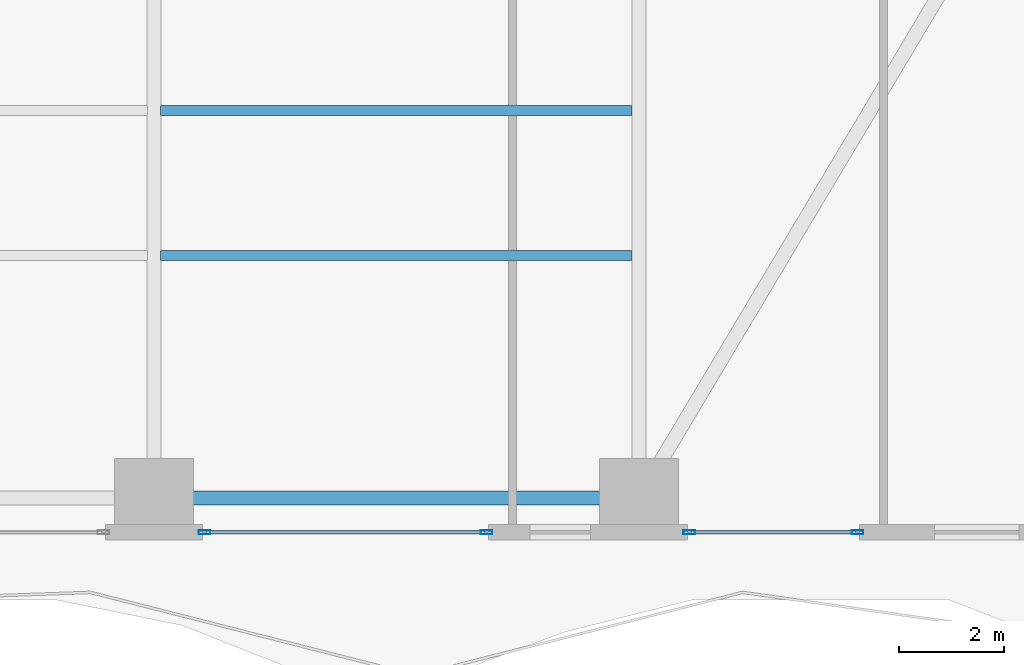
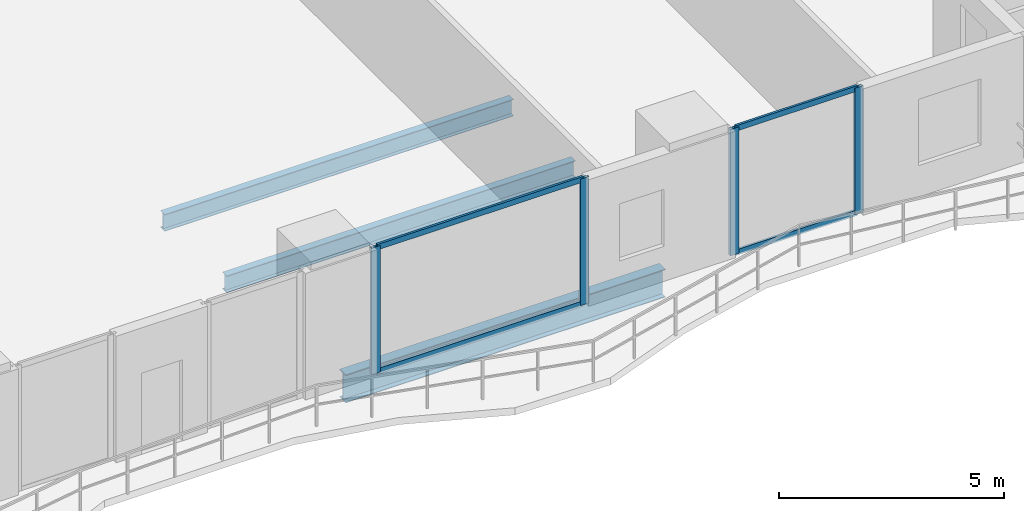
# One storey, part 8 of 28: 8 members, 3 beams, 2 elements without a shape of their own.
"""IFC4 building model written with IfcOpenShell, lengths in metres."""

from ifc_helpers import new_model, si_unit, direction, frame, origin, origin_2d, place, context, subcontext, project, spatial, hollow_rectangle, i_section, extrude, material, layer, layer_set, material_profile, profile_set, type_object, element, aggregate, save


model = new_model("IFC4")

# Units and contexts
model_context = context("Model", 3, precision=1e-05, world=origin(), true_north=direction((0.0, 1.0)))
body_context = subcontext(model_context, "Body", "Model", "MODEL_VIEW")
ifc_project = project(units=[si_unit("LENGTHUNIT", "METRE"), si_unit("AREAUNIT", "SQUARE_METRE"), si_unit("VOLUMEUNIT", "CUBIC_METRE"), si_unit("PLANEANGLEUNIT", "RADIAN"), si_unit("MASSUNIT", "GRAM", prefix="KILO")], contexts=[model_context])

# Site, building, storey
site_placement = place(None, origin())
site = spatial("IfcSite", under=ifc_project, at=site_placement, CompositionType="ELEMENT")
building_placement = place(site_placement, origin())
building = spatial("IfcBuilding", under=site, at=building_placement, Name="Zuhayl Quay Hotel", CompositionType="ELEMENT")
storey_placement = place(building_placement, frame((0.0, 0.0, 75.050048828125)))
storey = spatial("IfcBuildingStorey", under=building, at=storey_placement, Name="L18", CompositionType="ELEMENT", Elevation=75.050048828125)

# Beams
ifc_material_1 = material(Name="Steel ASTM A992 Grade 50", Category="steel")
ifc_material_profile_1 = material_profile(ifc_material_1, i_section(OverallWidth=0.26708984375, OverallDepth=0.761962890625, WebThickness=0.014404296875, FlangeThickness=0.021484375, at=origin_2d()), Name="W30X116")
ifc_profile_set_1 = profile_set([ifc_material_profile_1], Name="Steel ASTM A992 Grade 50")
beam_type_1 = type_object("IfcBeamType", Name="BM_B1_W30X116", PredefinedType="BEAM", material=ifc_profile_set_1)
beam_placement = place(storey_placement, frame((5.10009765625, -22.449951171875, -0.60107421875), z_axis=(1.0, 0.0, 0.0), x_axis=(0.0, 1.0, 0.0)))
element("IfcBeam", 1, at=beam_placement, inside=storey, type_object=beam_type_1, Name="L18 Floor Beam RG_L18_03", PredefinedType="BEAM", context=body_context, shape_type="SweptSolid", body=[
    extrude(i_section(OverallWidth=0.26708984375, OverallDepth=0.761962890625, WebThickness=0.014404296875, FlangeThickness=0.021484375, at=origin_2d()), origin(), (0.0, 0.0, 1.0), 8.199951171875),
])
ifc_material_profile_2 = material_profile(ifc_material_1, i_section(OverallWidth=0.18994140625, OverallDepth=0.45703125, WebThickness=0.009033203125, FlangeThickness=0.014404296875, at=origin_2d()), Name="W18X50")
ifc_profile_set_2 = profile_set([ifc_material_profile_2], Name="Steel ASTM A992 Grade 50")
beam_type_2 = type_object("IfcBeamType", Name="BM_J2_W18X50", PredefinedType="JOIST", material=ifc_profile_set_2)
for number, where, z_axis, x_axis, name in (
    (2, (4.7255859375, -17.85009765625, -0.448486328125), (1.0, 0.0, 0.0), (0.0, 1.0, 0.0), "L18 Floor Beam FJ_L18_3_3"),
    (3, (4.7255859375, -15.10009765625, -0.448486328125), (1.0, 0.0, 0.0), (0.0, 1.0, 0.0), "L18 Floor Beam FJ_L18_4_3"),
):
    element("IfcBeam", number, at=place(storey_placement, frame(where, z_axis=z_axis, x_axis=x_axis)), inside=storey, type_object=beam_type_2, Name=name, PredefinedType="JOIST", context=body_context, shape_type="SweptSolid", body=[
        extrude(i_section(OverallWidth=0.18994140625, OverallDepth=0.45703125, WebThickness=0.009033203125, FlangeThickness=0.014404296875, at=origin_2d()), origin(), (0.0, 0.0, 1.0), 8.948974609375),
    ])

# Curtain wall, members
ifc_material_2 = material(Name="Anodised Aluminium 6063-T6", Category="aluminium")
ifc_layer = layer(ifc_material_2, 0.18994140625, Name="Anodised Aluminium 6063-T6", Category="aluminium")
ifc_layer_set = layer_set([ifc_layer], Name="Anodised Aluminium 6063-T6")
curtain_wall_type = type_object("IfcCurtainWallType", Name="CW_SYS_Z1", PredefinedType="USERDEFINED", material=ifc_layer_set)
curtain_wall_1_placement = place(storey_placement, origin())
curtain_wall_1 = element("IfcCurtainWall", 4, at=curtain_wall_1_placement, inside=storey, type_object=curtain_wall_type, Name="L18 Curtain Wall ENV_L18_S_CW1", ObjectType="UNITISED CURTAIN WALL", PredefinedType="USERDEFINED")
ifc_material_3 = material(Name="Black-anodised aluminium 6063-T6", Category="aluminium")
ifc_material_profile_3 = material_profile(ifc_material_3, hollow_rectangle(XDim=0.074951171875, YDim=0.219970703125, WallThickness=0.00390625, at=origin_2d()), Name="ALU220X75")
ifc_profile_set_3 = profile_set([ifc_material_profile_3], Name="Black-anodised aluminium 6063-T6")
member_type_1 = type_object("IfcMemberType", Name="MB_CW_MUL_220", PredefinedType="MULLION", material=ifc_profile_set_3)
member_1_placement = place(storey_placement, frame((17.952392578125, -23.10009765625, 0.0), z_axis=(0.0, 0.0, 1.0), x_axis=(0.0, -1.0, 0.0)))
member_1 = element("IfcMember", 5, at=member_1_placement, type_object=member_type_1, Name="CW-Z1 mullion 1", PredefinedType="MULLION", context=body_context, shape_type="SweptSolid", body=[
    extrude(hollow_rectangle(XDim=0.074951171875, YDim=0.219970703125, WallThickness=0.00390625, at=origin_2d()), origin(), (0.0, 0.0, 1.0), 3.429931640625),
])
member_2_placement = place(storey_placement, frame((14.757568359375, -23.10009765625, 0.0), z_axis=(0.0, 0.0, 1.0), x_axis=(0.0, -1.0, 0.0)))
member_2 = element("IfcMember", 6, at=member_2_placement, type_object=member_type_1, Name="CW-Z1 mullion 2", PredefinedType="MULLION", context=body_context, shape_type="SweptSolid", body=[
    extrude(hollow_rectangle(XDim=0.074951171875, YDim=0.219970703125, WallThickness=0.00390625, at=origin_2d()), origin(), (0.0, 0.0, 1.0), 3.429931640625),
])

curtain_wall_2_placement = place(storey_placement, origin())
curtain_wall_2 = element("IfcCurtainWall", 7, at=curtain_wall_2_placement, inside=storey, type_object=curtain_wall_type, Name="L18 Curtain Wall ENV_L18_S_CW2", ObjectType="UNITISED CURTAIN WALL", PredefinedType="USERDEFINED")
member_3_placement = place(storey_placement, frame((10.91259765625, -23.10009765625, 0.0), z_axis=(0.0, 0.0, 1.0), x_axis=(0.0, -1.0, 0.0)))
member_3 = element("IfcMember", 8, at=member_3_placement, type_object=member_type_1, Name="CW-Z1 mullion 1", PredefinedType="MULLION", context=body_context, shape_type="SweptSolid", body=[
    extrude(hollow_rectangle(XDim=0.074951171875, YDim=0.219970703125, WallThickness=0.00390625, at=origin_2d()), origin(), (0.0, 0.0, 1.0), 3.429931640625),
])
member_4_placement = place(storey_placement, frame((5.5576171875, -23.10009765625, 0.0), z_axis=(0.0, 0.0, 1.0), x_axis=(0.0, -1.0, 0.0)))
member_4 = element("IfcMember", 9, at=member_4_placement, type_object=member_type_1, Name="CW-Z1 mullion 2", PredefinedType="MULLION", context=body_context, shape_type="SweptSolid", body=[
    extrude(hollow_rectangle(XDim=0.074951171875, YDim=0.219970703125, WallThickness=0.00390625, at=origin_2d()), origin(), (0.0, 0.0, 1.0), 3.429931640625),
])

# Member
ifc_material_profile_4 = material_profile(ifc_material_3, hollow_rectangle(XDim=0.06005859375, YDim=0.14990234375, WallThickness=0.00341796875, at=origin_2d()), Name="ALU150X60")
ifc_profile_set_4 = profile_set([ifc_material_profile_4], Name="Black-anodised aluminium 6063-T6")
member_type_2 = type_object("IfcMemberType", Name="MB_CW_TRN_150", PredefinedType="USERDEFINED", material=ifc_profile_set_4)
member_5_placement = place(storey_placement, frame((17.9150390625, -23.10009765625, 0.030029296875), z_axis=(-1.0, 0.0, 0.0), x_axis=(0.0, -1.0, 0.0)))
member_5 = element("IfcMember", 10, at=member_5_placement, type_object=member_type_2, Name="CW-Z1 transom 1.1", ObjectType="TRANSOM", PredefinedType="USERDEFINED", context=body_context, shape_type="SweptSolid", body=[
    extrude(hollow_rectangle(XDim=0.06005859375, YDim=0.14990234375, WallThickness=0.00341796875, at=origin_2d()), origin(), (0.0, 0.0, 1.0), 3.1201171875),
])

member_6_placement = place(storey_placement, frame((17.9150390625, -23.10009765625, 3.39990234375), z_axis=(-1.0, 0.0, 0.0), x_axis=(0.0, -1.0, 0.0)))
member_6 = element("IfcMember", 11, at=member_6_placement, type_object=member_type_2, Name="CW-Z1 transom 1.2", ObjectType="TRANSOM", PredefinedType="USERDEFINED", context=body_context, shape_type="SweptSolid", body=[
    extrude(hollow_rectangle(XDim=0.06005859375, YDim=0.14990234375, WallThickness=0.00341796875, at=origin_2d()), origin(), (0.0, 0.0, 1.0), 3.1201171875),
])

aggregate(curtain_wall_1, [member_1, member_2, member_5, member_6])

member_7_placement = place(storey_placement, frame((10.875, -23.10009765625, 0.030029296875), z_axis=(-1.0, 0.0, 0.0), x_axis=(0.0, -1.0, 0.0)))
member_7 = element("IfcMember", 12, at=member_7_placement, type_object=member_type_2, Name="CW-Z1 transom 1.1", ObjectType="TRANSOM", PredefinedType="USERDEFINED", context=body_context, shape_type="SweptSolid", body=[
    extrude(hollow_rectangle(XDim=0.06005859375, YDim=0.14990234375, WallThickness=0.00341796875, at=origin_2d()), origin(), (0.0, 0.0, 1.0), 5.280029296875),
])

member_8_placement = place(storey_placement, frame((10.875, -23.10009765625, 3.39990234375), z_axis=(-1.0, 0.0, 0.0), x_axis=(0.0, -1.0, 0.0)))
member_8 = element("IfcMember", 13, at=member_8_placement, type_object=member_type_2, Name="CW-Z1 transom 1.2", ObjectType="TRANSOM", PredefinedType="USERDEFINED", context=body_context, shape_type="SweptSolid", body=[
    extrude(hollow_rectangle(XDim=0.06005859375, YDim=0.14990234375, WallThickness=0.00341796875, at=origin_2d()), origin(), (0.0, 0.0, 1.0), 5.280029296875),
])

aggregate(curtain_wall_2, [member_3, member_4, member_7, member_8])

save(model, "model.ifc")
